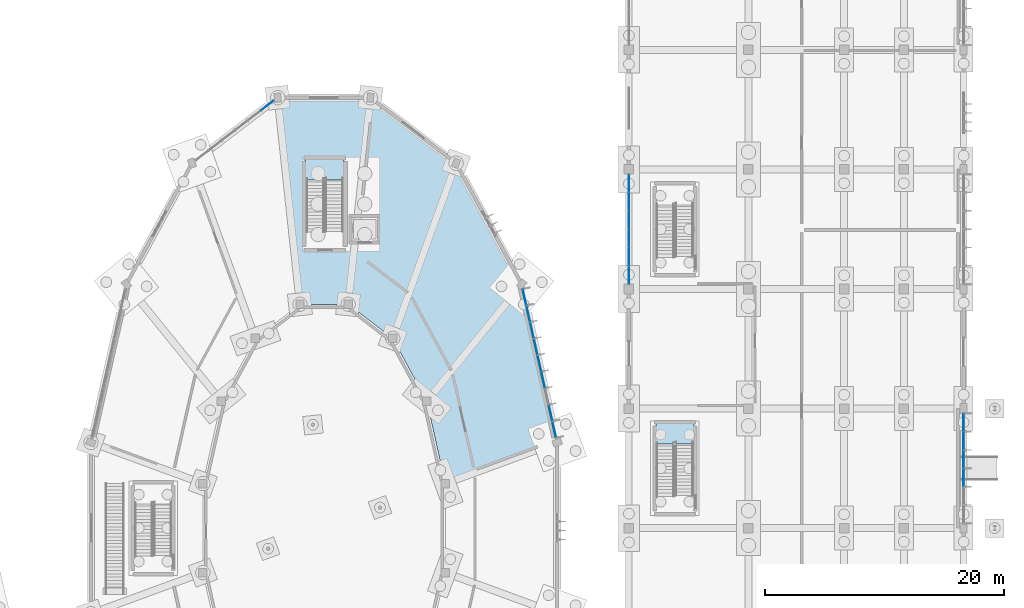
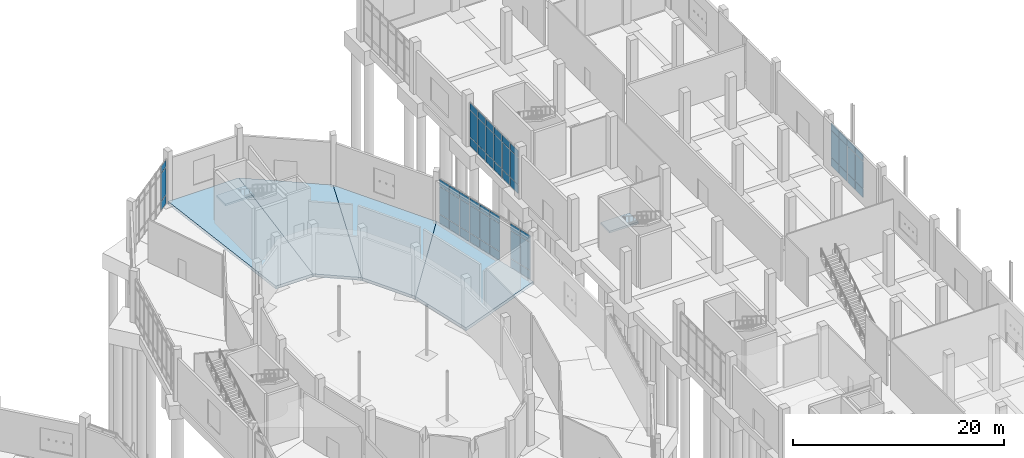
# One storey, part 70 of 140: 57 plates, 6 slabs, 6 elements without a shape of their own.
"""IFC4 building model written with IfcOpenShell, lengths in metres."""

from ifc_helpers import new_model, si_unit, direction, frame, origin, origin_2d, place, context, subcontext, project, spatial, polyline, rectangle, outline, extrude, material, layer, layer_set, type_object, element, aggregate, save


model = new_model("IFC4")

# Units and contexts
model_context = context("Model", 3, precision=1e-05, world=origin(), true_north=direction((0.0, 1.0)))
body_context = subcontext(model_context, "Body", "Model", "MODEL_VIEW")
ifc_project = project(units=[si_unit("LENGTHUNIT", "METRE"), si_unit("AREAUNIT", "SQUARE_METRE"), si_unit("VOLUMEUNIT", "CUBIC_METRE"), si_unit("PLANEANGLEUNIT", "RADIAN"), si_unit("MASSUNIT", "GRAM", prefix="KILO")], contexts=[model_context])

# Site, building, storey
site_placement = place(None, origin())
site = spatial("IfcSite", under=ifc_project, at=site_placement, CompositionType="ELEMENT")
building_placement = place(site_placement, origin())
building = spatial("IfcBuilding", under=site, at=building_placement, Name="Corvandel Quay Wholesale Market", CompositionType="ELEMENT")
storey_placement = place(building_placement, origin())
storey = spatial("IfcBuildingStorey", under=building, at=storey_placement, Name="L00", CompositionType="ELEMENT", Elevation=0.0)

# Curtain wall, plates
ifc_material_1 = material(Name="Bronze anodised aluminium and low-E insulated glazing", Category="aluminium")
ifc_layer_1 = layer(ifc_material_1, 0.174072265625)
ifc_layer_set_1 = layer_set([ifc_layer_1], Name="Bronze anodised aluminium and low-E insulated glazing")
curtain_wall_type_1 = type_object("IfcCurtainWallType", Name="Stick Curtain Wall System CW02 H3180", PredefinedType="NOTDEFINED", material=ifc_layer_set_1)
curtain_wall_1_placement = place(storey_placement, origin())
curtain_wall_1 = element("IfcCurtainWall", 1, at=curtain_wall_1_placement, inside=storey, type_object=curtain_wall_type_1, Name="Curtain Wall CW-0130", PredefinedType="NOTDEFINED")
ifc_material_2 = material(Name="Solar-control low-E insulated glazing", Category="glass")
ifc_layer_2 = layer(ifc_material_2, 0.0400390625)
ifc_layer_set_2 = layer_set([ifc_layer_2], Name="Solar-control low-E insulated glazing")
plate_type_1 = type_object("IfcPlateType", Name="Ceramic Fritted Spandrel Panel PN03 40mm", PredefinedType="CURTAIN_PANEL", material=ifc_layer_set_2)
plate_1_placement = place(storey_placement, frame((213.757080078125, 68.242919921875, 4.33251953125), z_axis=(0.0, 0.0, 1.0), x_axis=(-0.218994806262, 0.975726024471, 0.0)))
plate_1 = element("IfcPlate", 2, at=plate_1_placement, type_object=plate_type_1, Name="Glazing Panel CW-0130-P00-2", PredefinedType="CURTAIN_PANEL", context=body_context, shape_type="SweptSolid", body=[
    extrude(rectangle(XDim=1.352783203125, YDim=0.0400390625, at=origin_2d()), origin(), (0.0, 0.0, 1.0), 0.784912109375),
])
plate_2_placement = place(storey_placement, frame((213.44677734375, 69.62646484375, 4.33251953125), z_axis=(0.0, 0.0, 1.0), x_axis=(-0.218994806262, 0.975726024471, 0.0)))
plate_2 = element("IfcPlate", 3, at=plate_2_placement, type_object=plate_type_1, Name="Glazing Panel CW-0130-P01-2", PredefinedType="CURTAIN_PANEL", context=body_context, shape_type="SweptSolid", body=[
    extrude(rectangle(XDim=1.352783203125, YDim=0.0400390625, at=origin_2d()), origin(), (0.0, 0.0, 1.0), 0.784912109375),
])
plate_3_placement = place(storey_placement, frame((212.825927734375, 72.39306640625, 4.33251953125), z_axis=(0.0, 0.0, 1.0), x_axis=(-0.218994806262, 0.975726024471, 0.0)))
plate_3 = element("IfcPlate", 4, at=plate_3_placement, type_object=plate_type_1, Name="Glazing Panel CW-0130-P03-2", PredefinedType="CURTAIN_PANEL", context=body_context, shape_type="SweptSolid", body=[
    extrude(rectangle(XDim=1.352783203125, YDim=0.0400390625, at=origin_2d()), origin(), (0.0, 0.0, 1.0), 0.784912109375),
])
plate_4_placement = place(storey_placement, frame((212.515380859375, 73.776611328125, 4.33251953125), z_axis=(0.0, 0.0, 1.0), x_axis=(-0.218994806262, 0.975726024471, 0.0)))
plate_4 = element("IfcPlate", 5, at=plate_4_placement, type_object=plate_type_1, Name="Glazing Panel CW-0130-P04-2", PredefinedType="CURTAIN_PANEL", context=body_context, shape_type="SweptSolid", body=[
    extrude(rectangle(XDim=1.352783203125, YDim=0.0400390625, at=origin_2d()), origin(), (0.0, 0.0, 1.0), 0.784912109375),
])
plate_5_placement = place(storey_placement, frame((212.205078125, 75.159912109375, 4.33251953125), z_axis=(0.0, 0.0, 1.0), x_axis=(-0.218994806262, 0.975726024471, 0.0)))
plate_5 = element("IfcPlate", 6, at=plate_5_placement, type_object=plate_type_1, Name="Glazing Panel CW-0130-P05-2", PredefinedType="CURTAIN_PANEL", context=body_context, shape_type="SweptSolid", body=[
    extrude(rectangle(XDim=1.352783203125, YDim=0.0400390625, at=origin_2d()), origin(), (0.0, 0.0, 1.0), 0.784912109375),
])
plate_6_placement = place(storey_placement, frame((211.894775390625, 76.543212890625, 4.33251953125), z_axis=(0.0, 0.0, 1.0), x_axis=(-0.218994806262, 0.975726024471, 0.0)))
plate_6 = element("IfcPlate", 7, at=plate_6_placement, type_object=plate_type_1, Name="Glazing Panel CW-0130-P06-2", PredefinedType="CURTAIN_PANEL", context=body_context, shape_type="SweptSolid", body=[
    extrude(rectangle(XDim=1.352783203125, YDim=0.0400390625, at=origin_2d()), origin(), (0.0, 0.0, 1.0), 0.784912109375),
])
plate_7_placement = place(storey_placement, frame((211.584228515625, 77.926513671875, 4.33251953125), z_axis=(0.0, 0.0, 1.0), x_axis=(-0.218994806262, 0.975726024471, 0.0)))
plate_7 = element("IfcPlate", 8, at=plate_7_placement, type_object=plate_type_1, Name="Glazing Panel CW-0130-P07-2", PredefinedType="CURTAIN_PANEL", context=body_context, shape_type="SweptSolid", body=[
    extrude(rectangle(XDim=1.352783203125, YDim=0.0400390625, at=origin_2d()), origin(), (0.0, 0.0, 1.0), 0.784912109375),
])
plate_8_placement = place(storey_placement, frame((211.273681640625, 79.31005859375, 4.33251953125), z_axis=(0.0, 0.0, 1.0), x_axis=(-0.218994806262, 0.975726024471, 0.0)))
plate_8 = element("IfcPlate", 9, at=plate_8_placement, type_object=plate_type_1, Name="Glazing Panel CW-0130-P08-2", PredefinedType="CURTAIN_PANEL", context=body_context, shape_type="SweptSolid", body=[
    extrude(rectangle(XDim=1.352783203125, YDim=0.0400390625, at=origin_2d()), origin(), (0.0, 0.0, 1.0), 0.784912109375),
])

# Curtain wall, plate
ifc_layer_3 = layer(ifc_material_1, 0.162109375)
ifc_layer_set_3 = layer_set([ifc_layer_3], Name="Bronze anodised aluminium and low-E insulated glazing")
curtain_wall_type_2 = type_object("IfcCurtainWallType", Name="Stick Curtain Wall System CW06 H3540", PredefinedType="NOTDEFINED", material=ifc_layer_set_3)
curtain_wall_2_placement = place(storey_placement, origin())
curtain_wall_2 = element("IfcCurtainWall", 10, at=curtain_wall_2_placement, inside=storey, type_object=curtain_wall_type_2, Name="Curtain Wall CW-0133", PredefinedType="NOTDEFINED")
plate_9_placement = place(storey_placement, frame((189.7587890625, 95.3408203125, 4.33251953125), z_axis=(0.0, 0.0, 1.0), x_axis=(0.794308601354, 0.607514481979, 0.0)))
plate_9 = element("IfcPlate", 11, at=plate_9_placement, type_object=plate_type_1, Name="Glazing Panel CW-0133-P00-2", PredefinedType="CURTAIN_PANEL", context=body_context, shape_type="SweptSolid", body=[
    extrude(rectangle(XDim=1.305419921875, YDim=0.0400390625, at=origin_2d()), origin(), (0.0, 0.0, 1.0), 0.784912109375),
])

# Curtain wall, plates
ifc_layer_4 = layer(ifc_material_1, 0.18603515625)
ifc_layer_set_4 = layer_set([ifc_layer_4], Name="Bronze anodised aluminium and low-E insulated glazing")
curtain_wall_type_3 = type_object("IfcCurtainWallType", Name="Stick Curtain Wall System CW18 H4620", PredefinedType="NOTDEFINED", material=ifc_layer_set_4)
curtain_wall_3_placement = place(storey_placement, origin())
curtain_wall_3 = element("IfcCurtainWall", 12, at=curtain_wall_3_placement, inside=storey, type_object=curtain_wall_type_3, Name="Curtain Wall CW-0144", PredefinedType="NOTDEFINED")
plate_10_placement = place(storey_placement, frame((248.0, 64.2333984375, 4.22998046875), z_axis=(0.0, 0.0, 1.0), x_axis=(0.0, 1.0, 0.0)))
plate_10 = element("IfcPlate", 13, at=plate_10_placement, type_object=plate_type_1, Name="Glazing Panel CW-0144-P02-2", PredefinedType="CURTAIN_PANEL", context=body_context, shape_type="SweptSolid", body=[
    extrude(rectangle(XDim=1.46826171875, YDim=0.0400390625, at=origin_2d()), origin(), (0.0, 0.0, 1.0), 0.7900390625),
])
plate_11_placement = place(storey_placement, frame((248.0, 65.7666015625, 4.22998046875), z_axis=(0.0, 0.0, 1.0), x_axis=(0.0, 1.0, 0.0)))
plate_11 = element("IfcPlate", 14, at=plate_11_placement, type_object=plate_type_1, Name="Glazing Panel CW-0144-P03-2", PredefinedType="CURTAIN_PANEL", context=body_context, shape_type="SweptSolid", body=[
    extrude(rectangle(XDim=1.46826171875, YDim=0.0400390625, at=origin_2d()), origin(), (0.0, 0.0, 1.0), 0.7900390625),
])
plate_12_placement = place(storey_placement, frame((248.0, 67.300048828125, 4.22998046875), z_axis=(0.0, 0.0, 1.0), x_axis=(0.0, 1.0, 0.0)))
plate_12 = element("IfcPlate", 15, at=plate_12_placement, type_object=plate_type_1, Name="Glazing Panel CW-0144-P04-2", PredefinedType="CURTAIN_PANEL", context=body_context, shape_type="SweptSolid", body=[
    extrude(rectangle(XDim=1.46826171875, YDim=0.0400390625, at=origin_2d()), origin(), (0.0, 0.0, 1.0), 0.7900390625),
])
plate_13_placement = place(storey_placement, frame((248.0, 68.833251953125, 4.22998046875), z_axis=(0.0, 0.0, 1.0), x_axis=(0.0, 1.0, 0.0)))
plate_13 = element("IfcPlate", 16, at=plate_13_placement, type_object=plate_type_1, Name="Glazing Panel CW-0144-P05-2", PredefinedType="CURTAIN_PANEL", context=body_context, shape_type="SweptSolid", body=[
    extrude(rectangle(XDim=1.46826171875, YDim=0.0400390625, at=origin_2d()), origin(), (0.0, 0.0, 1.0), 0.7900390625),
])

ifc_layer_5 = layer(ifc_material_1, 0.162109375)
ifc_layer_set_5 = layer_set([ifc_layer_5], Name="Bronze anodised aluminium and low-E insulated glazing")
curtain_wall_type_4 = type_object("IfcCurtainWallType", Name="Stick Curtain Wall System CW26 H5340", PredefinedType="NOTDEFINED", material=ifc_layer_set_5)
curtain_wall_4_placement = place(storey_placement, origin())
curtain_wall_4 = element("IfcCurtainWall", 17, at=curtain_wall_4_placement, inside=storey, type_object=curtain_wall_type_4, Name="Curtain Wall CW-0146", PredefinedType="NOTDEFINED")
plate_14_placement = place(storey_placement, frame((220.0, 81.166748046875, 4.22998046875), z_axis=(0.0, 0.0, 1.0), x_axis=(0.0, 1.0, 0.0)))
plate_14 = element("IfcPlate", 18, at=plate_14_placement, type_object=plate_type_1, Name="Glazing Panel CW-0146-P00-2", PredefinedType="CURTAIN_PANEL", context=body_context, shape_type="SweptSolid", body=[
    extrude(rectangle(XDim=1.46826171875, YDim=0.0400390625, at=origin_2d()), origin(), (0.0, 0.0, 1.0), 0.7900390625),
])
plate_15_placement = place(storey_placement, frame((220.0, 82.699951171875, 4.22998046875), z_axis=(0.0, 0.0, 1.0), x_axis=(0.0, 1.0, 0.0)))
plate_15 = element("IfcPlate", 19, at=plate_15_placement, type_object=plate_type_1, Name="Glazing Panel CW-0146-P01-2", PredefinedType="CURTAIN_PANEL", context=body_context, shape_type="SweptSolid", body=[
    extrude(rectangle(XDim=1.46826171875, YDim=0.0400390625, at=origin_2d()), origin(), (0.0, 0.0, 1.0), 0.7900390625),
])
plate_16_placement = place(storey_placement, frame((220.0, 84.2333984375, 4.22998046875), z_axis=(0.0, 0.0, 1.0), x_axis=(0.0, 1.0, 0.0)))
plate_16 = element("IfcPlate", 20, at=plate_16_placement, type_object=plate_type_1, Name="Glazing Panel CW-0146-P02-2", PredefinedType="CURTAIN_PANEL", context=body_context, shape_type="SweptSolid", body=[
    extrude(rectangle(XDim=1.46826171875, YDim=0.0400390625, at=origin_2d()), origin(), (0.0, 0.0, 1.0), 0.7900390625),
])
plate_17_placement = place(storey_placement, frame((220.0, 85.7666015625, 4.22998046875), z_axis=(0.0, 0.0, 1.0), x_axis=(0.0, 1.0, 0.0)))
plate_17 = element("IfcPlate", 21, at=plate_17_placement, type_object=plate_type_1, Name="Glazing Panel CW-0146-P03-2", PredefinedType="CURTAIN_PANEL", context=body_context, shape_type="SweptSolid", body=[
    extrude(rectangle(XDim=1.46826171875, YDim=0.0400390625, at=origin_2d()), origin(), (0.0, 0.0, 1.0), 0.7900390625),
])
plate_18_placement = place(storey_placement, frame((220.0, 87.300048828125, 4.22998046875), z_axis=(0.0, 0.0, 1.0), x_axis=(0.0, 1.0, 0.0)))
plate_18 = element("IfcPlate", 22, at=plate_18_placement, type_object=plate_type_1, Name="Glazing Panel CW-0146-P04-2", PredefinedType="CURTAIN_PANEL", context=body_context, shape_type="SweptSolid", body=[
    extrude(rectangle(XDim=1.46826171875, YDim=0.0400390625, at=origin_2d()), origin(), (0.0, 0.0, 1.0), 0.7900390625),
])
plate_19_placement = place(storey_placement, frame((220.0, 88.833251953125, 4.22998046875), z_axis=(0.0, 0.0, 1.0), x_axis=(0.0, 1.0, 0.0)))
plate_19 = element("IfcPlate", 23, at=plate_19_placement, type_object=plate_type_1, Name="Glazing Panel CW-0146-P05-2", PredefinedType="CURTAIN_PANEL", context=body_context, shape_type="SweptSolid", body=[
    extrude(rectangle(XDim=1.46826171875, YDim=0.0400390625, at=origin_2d()), origin(), (0.0, 0.0, 1.0), 0.7900390625),
])

# Plate
ifc_layer_6 = layer(ifc_material_2, 0.028076171875)
ifc_layer_set_6 = layer_set([ifc_layer_6], Name="Solar-control low-E insulated glazing")
plate_type_2 = type_object("IfcPlateType", Name="Double Low-E Vision Panel PN01 28mm", PredefinedType="CURTAIN_PANEL", material=ifc_layer_set_6)
plate_20_placement = place(storey_placement, frame((213.757080078125, 68.242919921875, 0.0322265625), z_axis=(0.0, 0.0, 1.0), x_axis=(-0.218994806262, 0.975726024471, 0.0)))
plate_20 = element("IfcPlate", 24, at=plate_20_placement, type_object=plate_type_2, Name="Glazing Panel CW-0130-P00-0", PredefinedType="CURTAIN_PANEL", context=body_context, shape_type="SweptSolid", body=[
    extrude(rectangle(XDim=1.352783203125, YDim=0.028076171875, at=origin_2d()), origin(), (0.0, 0.0, 1.0), 0.985107421875),
])

plate_21_placement = place(storey_placement, frame((213.757080078125, 68.242919921875, 1.08251953125), z_axis=(0.0, 0.0, 1.0), x_axis=(-0.218994806262, 0.975726024471, 0.0)))
plate_21 = element("IfcPlate", 25, at=plate_21_placement, type_object=plate_type_2, Name="Glazing Panel CW-0130-P00-1", PredefinedType="CURTAIN_PANEL", context=body_context, shape_type="SweptSolid", body=[
    extrude(rectangle(XDim=1.352783203125, YDim=0.028076171875, at=origin_2d()), origin(), (0.0, 0.0, 1.0), 3.18505859375),
])

plate_22_placement = place(storey_placement, frame((213.44677734375, 69.62646484375, 0.0322265625), z_axis=(0.0, 0.0, 1.0), x_axis=(-0.218994806262, 0.975726024471, 0.0)))
plate_22 = element("IfcPlate", 26, at=plate_22_placement, type_object=plate_type_2, Name="Glazing Panel CW-0130-P01-0", PredefinedType="CURTAIN_PANEL", context=body_context, shape_type="SweptSolid", body=[
    extrude(rectangle(XDim=1.352783203125, YDim=0.028076171875, at=origin_2d()), origin(), (0.0, 0.0, 1.0), 0.985107421875),
])

plate_23_placement = place(storey_placement, frame((213.44677734375, 69.62646484375, 1.08251953125), z_axis=(0.0, 0.0, 1.0), x_axis=(-0.218994806262, 0.975726024471, 0.0)))
plate_23 = element("IfcPlate", 27, at=plate_23_placement, type_object=plate_type_2, Name="Glazing Panel CW-0130-P01-1", PredefinedType="CURTAIN_PANEL", context=body_context, shape_type="SweptSolid", body=[
    extrude(rectangle(XDim=1.352783203125, YDim=0.028076171875, at=origin_2d()), origin(), (0.0, 0.0, 1.0), 3.18505859375),
])

plate_24_placement = place(storey_placement, frame((212.825927734375, 72.39306640625, 0.0322265625), z_axis=(0.0, 0.0, 1.0), x_axis=(-0.218994806262, 0.975726024471, 0.0)))
plate_24 = element("IfcPlate", 28, at=plate_24_placement, type_object=plate_type_2, Name="Glazing Panel CW-0130-P03-0", PredefinedType="CURTAIN_PANEL", context=body_context, shape_type="SweptSolid", body=[
    extrude(rectangle(XDim=1.352783203125, YDim=0.028076171875, at=origin_2d()), origin(), (0.0, 0.0, 1.0), 0.985107421875),
])

plate_25_placement = place(storey_placement, frame((212.825927734375, 72.39306640625, 1.08251953125), z_axis=(0.0, 0.0, 1.0), x_axis=(-0.218994806262, 0.975726024471, 0.0)))
plate_25 = element("IfcPlate", 29, at=plate_25_placement, type_object=plate_type_2, Name="Glazing Panel CW-0130-P03-1", PredefinedType="CURTAIN_PANEL", context=body_context, shape_type="SweptSolid", body=[
    extrude(rectangle(XDim=1.352783203125, YDim=0.028076171875, at=origin_2d()), origin(), (0.0, 0.0, 1.0), 3.18505859375),
])

plate_26_placement = place(storey_placement, frame((212.515380859375, 73.776611328125, 0.0322265625), z_axis=(0.0, 0.0, 1.0), x_axis=(-0.218994806262, 0.975726024471, 0.0)))
plate_26 = element("IfcPlate", 30, at=plate_26_placement, type_object=plate_type_2, Name="Glazing Panel CW-0130-P04-0", PredefinedType="CURTAIN_PANEL", context=body_context, shape_type="SweptSolid", body=[
    extrude(rectangle(XDim=1.352783203125, YDim=0.028076171875, at=origin_2d()), origin(), (0.0, 0.0, 1.0), 0.985107421875),
])

plate_27_placement = place(storey_placement, frame((212.515380859375, 73.776611328125, 1.08251953125), z_axis=(0.0, 0.0, 1.0), x_axis=(-0.218994806262, 0.975726024471, 0.0)))
plate_27 = element("IfcPlate", 31, at=plate_27_placement, type_object=plate_type_2, Name="Glazing Panel CW-0130-P04-1", PredefinedType="CURTAIN_PANEL", context=body_context, shape_type="SweptSolid", body=[
    extrude(rectangle(XDim=1.352783203125, YDim=0.028076171875, at=origin_2d()), origin(), (0.0, 0.0, 1.0), 3.18505859375),
])

plate_28_placement = place(storey_placement, frame((212.205078125, 75.159912109375, 0.0322265625), z_axis=(0.0, 0.0, 1.0), x_axis=(-0.218994806262, 0.975726024471, 0.0)))
plate_28 = element("IfcPlate", 32, at=plate_28_placement, type_object=plate_type_2, Name="Glazing Panel CW-0130-P05-0", PredefinedType="CURTAIN_PANEL", context=body_context, shape_type="SweptSolid", body=[
    extrude(rectangle(XDim=1.352783203125, YDim=0.028076171875, at=origin_2d()), origin(), (0.0, 0.0, 1.0), 0.985107421875),
])

plate_29_placement = place(storey_placement, frame((212.205078125, 75.159912109375, 1.08251953125), z_axis=(0.0, 0.0, 1.0), x_axis=(-0.218994806262, 0.975726024471, 0.0)))
plate_29 = element("IfcPlate", 33, at=plate_29_placement, type_object=plate_type_2, Name="Glazing Panel CW-0130-P05-1", PredefinedType="CURTAIN_PANEL", context=body_context, shape_type="SweptSolid", body=[
    extrude(rectangle(XDim=1.352783203125, YDim=0.028076171875, at=origin_2d()), origin(), (0.0, 0.0, 1.0), 3.18505859375),
])

plate_30_placement = place(storey_placement, frame((211.894775390625, 76.543212890625, 0.0322265625), z_axis=(0.0, 0.0, 1.0), x_axis=(-0.218994806262, 0.975726024471, 0.0)))
plate_30 = element("IfcPlate", 34, at=plate_30_placement, type_object=plate_type_2, Name="Glazing Panel CW-0130-P06-0", PredefinedType="CURTAIN_PANEL", context=body_context, shape_type="SweptSolid", body=[
    extrude(rectangle(XDim=1.352783203125, YDim=0.028076171875, at=origin_2d()), origin(), (0.0, 0.0, 1.0), 0.985107421875),
])

plate_31_placement = place(storey_placement, frame((211.894775390625, 76.543212890625, 1.08251953125), z_axis=(0.0, 0.0, 1.0), x_axis=(-0.218994806262, 0.975726024471, 0.0)))
plate_31 = element("IfcPlate", 35, at=plate_31_placement, type_object=plate_type_2, Name="Glazing Panel CW-0130-P06-1", PredefinedType="CURTAIN_PANEL", context=body_context, shape_type="SweptSolid", body=[
    extrude(rectangle(XDim=1.352783203125, YDim=0.028076171875, at=origin_2d()), origin(), (0.0, 0.0, 1.0), 3.18505859375),
])

plate_32_placement = place(storey_placement, frame((211.584228515625, 77.926513671875, 0.0322265625), z_axis=(0.0, 0.0, 1.0), x_axis=(-0.218994806262, 0.975726024471, 0.0)))
plate_32 = element("IfcPlate", 36, at=plate_32_placement, type_object=plate_type_2, Name="Glazing Panel CW-0130-P07-0", PredefinedType="CURTAIN_PANEL", context=body_context, shape_type="SweptSolid", body=[
    extrude(rectangle(XDim=1.352783203125, YDim=0.028076171875, at=origin_2d()), origin(), (0.0, 0.0, 1.0), 0.985107421875),
])

plate_33_placement = place(storey_placement, frame((211.584228515625, 77.926513671875, 1.08251953125), z_axis=(0.0, 0.0, 1.0), x_axis=(-0.218994806262, 0.975726024471, 0.0)))
plate_33 = element("IfcPlate", 37, at=plate_33_placement, type_object=plate_type_2, Name="Glazing Panel CW-0130-P07-1", PredefinedType="CURTAIN_PANEL", context=body_context, shape_type="SweptSolid", body=[
    extrude(rectangle(XDim=1.352783203125, YDim=0.028076171875, at=origin_2d()), origin(), (0.0, 0.0, 1.0), 3.18505859375),
])

plate_34_placement = place(storey_placement, frame((211.273681640625, 79.31005859375, 0.0322265625), z_axis=(0.0, 0.0, 1.0), x_axis=(-0.218994806262, 0.975726024471, 0.0)))
plate_34 = element("IfcPlate", 38, at=plate_34_placement, type_object=plate_type_2, Name="Glazing Panel CW-0130-P08-0", PredefinedType="CURTAIN_PANEL", context=body_context, shape_type="SweptSolid", body=[
    extrude(rectangle(XDim=1.352783203125, YDim=0.028076171875, at=origin_2d()), origin(), (0.0, 0.0, 1.0), 0.985107421875),
])

plate_35_placement = place(storey_placement, frame((211.273681640625, 79.31005859375, 1.08251953125), z_axis=(0.0, 0.0, 1.0), x_axis=(-0.218994806262, 0.975726024471, 0.0)))
plate_35 = element("IfcPlate", 39, at=plate_35_placement, type_object=plate_type_2, Name="Glazing Panel CW-0130-P08-1", PredefinedType="CURTAIN_PANEL", context=body_context, shape_type="SweptSolid", body=[
    extrude(rectangle(XDim=1.352783203125, YDim=0.028076171875, at=origin_2d()), origin(), (0.0, 0.0, 1.0), 3.18505859375),
])

aggregate(curtain_wall_1, [plate_20, plate_21, plate_1, plate_22, plate_23, plate_2, plate_24, plate_25, plate_3, plate_26, plate_27, plate_4, plate_28, plate_29, plate_5, plate_30, plate_31, plate_6, plate_32, plate_33, plate_7, plate_34, plate_35, plate_8])

plate_36_placement = place(storey_placement, frame((189.7587890625, 95.3408203125, 0.0322265625), z_axis=(0.0, 0.0, 1.0), x_axis=(0.794308601354, 0.607514481979, 0.0)))
plate_36 = element("IfcPlate", 40, at=plate_36_placement, type_object=plate_type_2, Name="Glazing Panel CW-0133-P00-0", PredefinedType="CURTAIN_PANEL", context=body_context, shape_type="SweptSolid", body=[
    extrude(rectangle(XDim=1.305419921875, YDim=0.028076171875, at=origin_2d()), origin(), (0.0, 0.0, 1.0), 0.985107421875),
])

plate_37_placement = place(storey_placement, frame((189.7587890625, 95.3408203125, 1.08251953125), z_axis=(0.0, 0.0, 1.0), x_axis=(0.794308601354, 0.607514481979, 0.0)))
plate_37 = element("IfcPlate", 41, at=plate_37_placement, type_object=plate_type_2, Name="Glazing Panel CW-0133-P00-1", PredefinedType="CURTAIN_PANEL", context=body_context, shape_type="SweptSolid", body=[
    extrude(rectangle(XDim=1.305419921875, YDim=0.028076171875, at=origin_2d()), origin(), (0.0, 0.0, 1.0), 3.18505859375),
])

aggregate(curtain_wall_2, [plate_36, plate_37, plate_9])

plate_38_placement = place(storey_placement, frame((248.0, 64.2333984375, 0.02978515625), z_axis=(0.0, 0.0, 1.0), x_axis=(0.0, 1.0, 0.0)))
plate_38 = element("IfcPlate", 42, at=plate_38_placement, type_object=plate_type_2, Name="Glazing Panel CW-0144-P02-0", PredefinedType="CURTAIN_PANEL", context=body_context, shape_type="SweptSolid", body=[
    extrude(rectangle(XDim=1.46826171875, YDim=0.028076171875, at=origin_2d()), origin(), (0.0, 0.0, 1.0), 0.989990234375),
])

plate_39_placement = place(storey_placement, frame((248.0, 64.2333984375, 1.080078125), z_axis=(0.0, 0.0, 1.0), x_axis=(0.0, 1.0, 0.0)))
plate_39 = element("IfcPlate", 43, at=plate_39_placement, type_object=plate_type_2, Name="Glazing Panel CW-0144-P02-1", PredefinedType="CURTAIN_PANEL", context=body_context, shape_type="SweptSolid", body=[
    extrude(rectangle(XDim=1.46826171875, YDim=0.028076171875, at=origin_2d()), origin(), (0.0, 0.0, 1.0), 3.090087890625),
])

plate_40_placement = place(storey_placement, frame((248.0, 65.7666015625, 0.02978515625), z_axis=(0.0, 0.0, 1.0), x_axis=(0.0, 1.0, 0.0)))
plate_40 = element("IfcPlate", 44, at=plate_40_placement, type_object=plate_type_2, Name="Glazing Panel CW-0144-P03-0", PredefinedType="CURTAIN_PANEL", context=body_context, shape_type="SweptSolid", body=[
    extrude(rectangle(XDim=1.46826171875, YDim=0.028076171875, at=origin_2d()), origin(), (0.0, 0.0, 1.0), 0.989990234375),
])

plate_41_placement = place(storey_placement, frame((248.0, 65.7666015625, 1.080078125), z_axis=(0.0, 0.0, 1.0), x_axis=(0.0, 1.0, 0.0)))
plate_41 = element("IfcPlate", 45, at=plate_41_placement, type_object=plate_type_2, Name="Glazing Panel CW-0144-P03-1", PredefinedType="CURTAIN_PANEL", context=body_context, shape_type="SweptSolid", body=[
    extrude(rectangle(XDim=1.46826171875, YDim=0.028076171875, at=origin_2d()), origin(), (0.0, 0.0, 1.0), 3.090087890625),
])

plate_42_placement = place(storey_placement, frame((248.0, 67.300048828125, 0.02978515625), z_axis=(0.0, 0.0, 1.0), x_axis=(0.0, 1.0, 0.0)))
plate_42 = element("IfcPlate", 46, at=plate_42_placement, type_object=plate_type_2, Name="Glazing Panel CW-0144-P04-0", PredefinedType="CURTAIN_PANEL", context=body_context, shape_type="SweptSolid", body=[
    extrude(rectangle(XDim=1.46826171875, YDim=0.028076171875, at=origin_2d()), origin(), (0.0, 0.0, 1.0), 0.989990234375),
])

plate_43_placement = place(storey_placement, frame((248.0, 67.300048828125, 1.080078125), z_axis=(0.0, 0.0, 1.0), x_axis=(0.0, 1.0, 0.0)))
plate_43 = element("IfcPlate", 47, at=plate_43_placement, type_object=plate_type_2, Name="Glazing Panel CW-0144-P04-1", PredefinedType="CURTAIN_PANEL", context=body_context, shape_type="SweptSolid", body=[
    extrude(rectangle(XDim=1.46826171875, YDim=0.028076171875, at=origin_2d()), origin(), (0.0, 0.0, 1.0), 3.090087890625),
])

plate_44_placement = place(storey_placement, frame((248.0, 68.833251953125, 0.02978515625), z_axis=(0.0, 0.0, 1.0), x_axis=(0.0, 1.0, 0.0)))
plate_44 = element("IfcPlate", 48, at=plate_44_placement, type_object=plate_type_2, Name="Glazing Panel CW-0144-P05-0", PredefinedType="CURTAIN_PANEL", context=body_context, shape_type="SweptSolid", body=[
    extrude(rectangle(XDim=1.46826171875, YDim=0.028076171875, at=origin_2d()), origin(), (0.0, 0.0, 1.0), 0.989990234375),
])

plate_45_placement = place(storey_placement, frame((248.0, 68.833251953125, 1.080078125), z_axis=(0.0, 0.0, 1.0), x_axis=(0.0, 1.0, 0.0)))
plate_45 = element("IfcPlate", 49, at=plate_45_placement, type_object=plate_type_2, Name="Glazing Panel CW-0144-P05-1", PredefinedType="CURTAIN_PANEL", context=body_context, shape_type="SweptSolid", body=[
    extrude(rectangle(XDim=1.46826171875, YDim=0.028076171875, at=origin_2d()), origin(), (0.0, 0.0, 1.0), 3.090087890625),
])

aggregate(curtain_wall_3, [plate_38, plate_39, plate_10, plate_40, plate_41, plate_11, plate_42, plate_43, plate_12, plate_44, plate_45, plate_13])

plate_46_placement = place(storey_placement, frame((220.0, 81.166748046875, 0.02978515625), z_axis=(0.0, 0.0, 1.0), x_axis=(0.0, 1.0, 0.0)))
plate_46 = element("IfcPlate", 50, at=plate_46_placement, type_object=plate_type_2, Name="Glazing Panel CW-0146-P00-0", PredefinedType="CURTAIN_PANEL", context=body_context, shape_type="SweptSolid", body=[
    extrude(rectangle(XDim=1.46826171875, YDim=0.028076171875, at=origin_2d()), origin(), (0.0, 0.0, 1.0), 0.989990234375),
])

plate_47_placement = place(storey_placement, frame((220.0, 81.166748046875, 1.080078125), z_axis=(0.0, 0.0, 1.0), x_axis=(0.0, 1.0, 0.0)))
plate_47 = element("IfcPlate", 51, at=plate_47_placement, type_object=plate_type_2, Name="Glazing Panel CW-0146-P00-1", PredefinedType="CURTAIN_PANEL", context=body_context, shape_type="SweptSolid", body=[
    extrude(rectangle(XDim=1.46826171875, YDim=0.028076171875, at=origin_2d()), origin(), (0.0, 0.0, 1.0), 3.090087890625),
])

plate_48_placement = place(storey_placement, frame((220.0, 82.699951171875, 0.02978515625), z_axis=(0.0, 0.0, 1.0), x_axis=(0.0, 1.0, 0.0)))
plate_48 = element("IfcPlate", 52, at=plate_48_placement, type_object=plate_type_2, Name="Glazing Panel CW-0146-P01-0", PredefinedType="CURTAIN_PANEL", context=body_context, shape_type="SweptSolid", body=[
    extrude(rectangle(XDim=1.46826171875, YDim=0.028076171875, at=origin_2d()), origin(), (0.0, 0.0, 1.0), 0.989990234375),
])

plate_49_placement = place(storey_placement, frame((220.0, 82.699951171875, 1.080078125), z_axis=(0.0, 0.0, 1.0), x_axis=(0.0, 1.0, 0.0)))
plate_49 = element("IfcPlate", 53, at=plate_49_placement, type_object=plate_type_2, Name="Glazing Panel CW-0146-P01-1", PredefinedType="CURTAIN_PANEL", context=body_context, shape_type="SweptSolid", body=[
    extrude(rectangle(XDim=1.46826171875, YDim=0.028076171875, at=origin_2d()), origin(), (0.0, 0.0, 1.0), 3.090087890625),
])

plate_50_placement = place(storey_placement, frame((220.0, 84.2333984375, 0.02978515625), z_axis=(0.0, 0.0, 1.0), x_axis=(0.0, 1.0, 0.0)))
plate_50 = element("IfcPlate", 54, at=plate_50_placement, type_object=plate_type_2, Name="Glazing Panel CW-0146-P02-0", PredefinedType="CURTAIN_PANEL", context=body_context, shape_type="SweptSolid", body=[
    extrude(rectangle(XDim=1.46826171875, YDim=0.028076171875, at=origin_2d()), origin(), (0.0, 0.0, 1.0), 0.989990234375),
])

plate_51_placement = place(storey_placement, frame((220.0, 84.2333984375, 1.080078125), z_axis=(0.0, 0.0, 1.0), x_axis=(0.0, 1.0, 0.0)))
plate_51 = element("IfcPlate", 55, at=plate_51_placement, type_object=plate_type_2, Name="Glazing Panel CW-0146-P02-1", PredefinedType="CURTAIN_PANEL", context=body_context, shape_type="SweptSolid", body=[
    extrude(rectangle(XDim=1.46826171875, YDim=0.028076171875, at=origin_2d()), origin(), (0.0, 0.0, 1.0), 3.090087890625),
])

plate_52_placement = place(storey_placement, frame((220.0, 85.7666015625, 0.02978515625), z_axis=(0.0, 0.0, 1.0), x_axis=(0.0, 1.0, 0.0)))
plate_52 = element("IfcPlate", 56, at=plate_52_placement, type_object=plate_type_2, Name="Glazing Panel CW-0146-P03-0", PredefinedType="CURTAIN_PANEL", context=body_context, shape_type="SweptSolid", body=[
    extrude(rectangle(XDim=1.46826171875, YDim=0.028076171875, at=origin_2d()), origin(), (0.0, 0.0, 1.0), 0.989990234375),
])

plate_53_placement = place(storey_placement, frame((220.0, 85.7666015625, 1.080078125), z_axis=(0.0, 0.0, 1.0), x_axis=(0.0, 1.0, 0.0)))
plate_53 = element("IfcPlate", 57, at=plate_53_placement, type_object=plate_type_2, Name="Glazing Panel CW-0146-P03-1", PredefinedType="CURTAIN_PANEL", context=body_context, shape_type="SweptSolid", body=[
    extrude(rectangle(XDim=1.46826171875, YDim=0.028076171875, at=origin_2d()), origin(), (0.0, 0.0, 1.0), 3.090087890625),
])

plate_54_placement = place(storey_placement, frame((220.0, 87.300048828125, 0.02978515625), z_axis=(0.0, 0.0, 1.0), x_axis=(0.0, 1.0, 0.0)))
plate_54 = element("IfcPlate", 58, at=plate_54_placement, type_object=plate_type_2, Name="Glazing Panel CW-0146-P04-0", PredefinedType="CURTAIN_PANEL", context=body_context, shape_type="SweptSolid", body=[
    extrude(rectangle(XDim=1.46826171875, YDim=0.028076171875, at=origin_2d()), origin(), (0.0, 0.0, 1.0), 0.989990234375),
])

plate_55_placement = place(storey_placement, frame((220.0, 87.300048828125, 1.080078125), z_axis=(0.0, 0.0, 1.0), x_axis=(0.0, 1.0, 0.0)))
plate_55 = element("IfcPlate", 59, at=plate_55_placement, type_object=plate_type_2, Name="Glazing Panel CW-0146-P04-1", PredefinedType="CURTAIN_PANEL", context=body_context, shape_type="SweptSolid", body=[
    extrude(rectangle(XDim=1.46826171875, YDim=0.028076171875, at=origin_2d()), origin(), (0.0, 0.0, 1.0), 3.090087890625),
])

plate_56_placement = place(storey_placement, frame((220.0, 88.833251953125, 0.02978515625), z_axis=(0.0, 0.0, 1.0), x_axis=(0.0, 1.0, 0.0)))
plate_56 = element("IfcPlate", 60, at=plate_56_placement, type_object=plate_type_2, Name="Glazing Panel CW-0146-P05-0", PredefinedType="CURTAIN_PANEL", context=body_context, shape_type="SweptSolid", body=[
    extrude(rectangle(XDim=1.46826171875, YDim=0.028076171875, at=origin_2d()), origin(), (0.0, 0.0, 1.0), 0.989990234375),
])

plate_57_placement = place(storey_placement, frame((220.0, 88.833251953125, 1.080078125), z_axis=(0.0, 0.0, 1.0), x_axis=(0.0, 1.0, 0.0)))
plate_57 = element("IfcPlate", 61, at=plate_57_placement, type_object=plate_type_2, Name="Glazing Panel CW-0146-P05-1", PredefinedType="CURTAIN_PANEL", context=body_context, shape_type="SweptSolid", body=[
    extrude(rectangle(XDim=1.46826171875, YDim=0.028076171875, at=origin_2d()), origin(), (0.0, 0.0, 1.0), 3.090087890625),
])

aggregate(curtain_wall_4, [plate_46, plate_47, plate_14, plate_48, plate_49, plate_15, plate_50, plate_51, plate_16, plate_52, plate_53, plate_17, plate_54, plate_55, plate_18, plate_56, plate_57, plate_19])

# Slabs
ifc_material_3 = material(Name="Concrete C40/50", Category="concrete")
ifc_layer_7 = layer(ifc_material_3, 0.35009765625)
ifc_layer_set_7 = layer_set([ifc_layer_7], Name="Concrete C40/50")
slab_type_1 = type_object("IfcSlabType", Name="Ground Bearing Base Slab 350", PredefinedType="BASESLAB", material=ifc_layer_set_7)
slab_1_placement = place(storey_placement, frame((0.0, 0.0, -0.35009765625)))
element("IfcSlab", 62, at=slab_1_placement, inside=storey, type_object=slab_type_1, Name="Slab SLB-0383", PredefinedType="BASESLAB", context=body_context, shape_type="SweptSolid", body=[
    extrude(outline(polyline([(214.0, 67.160888671875), (211.031005859375, 80.39208984375), (203.095947265625, 70.60400390625), (204.639892578125, 63.72412109375), (214.0, 67.160888671875)])), origin(), (0.0, 0.0, 1.0), 0.35009765625),
])
slab_2_placement = place(storey_placement, frame((0.0, 0.0, -0.35009765625)))
element("IfcSlab", 63, at=slab_2_placement, inside=storey, type_object=slab_type_1, Name="Slab SLB-0387", PredefinedType="BASESLAB", context=body_context, shape_type="SweptSolid", body=[
    extrude(outline(polyline([(211.031005859375, 80.39208984375), (205.5458984375, 90.51904296875), (200.243896484375, 75.8701171875), (203.095947265625, 70.60400390625), (211.031005859375, 80.39208984375)])), origin(), (0.0, 0.0, 1.0), 0.35009765625),
])
slab_3_placement = place(storey_placement, frame((0.0, 0.0, -0.35009765625)))
element("IfcSlab", 64, at=slab_3_placement, inside=storey, type_object=slab_type_1, Name="Slab SLB-0391", PredefinedType="BASESLAB", context=body_context, shape_type="SweptSolid", body=[
    extrude(outline(polyline([(205.5458984375, 90.51904296875), (198.37890625, 96.0), (196.51708984375, 78.719970703125), (200.243896484375, 75.8701171875), (205.5458984375, 90.51904296875)])), origin(), (0.0, 0.0, 1.0), 0.35009765625),
])
slab_4_placement = place(storey_placement, frame((0.0, 0.0, -0.35009765625)))
element("IfcSlab", 65, at=slab_4_placement, inside=storey, type_object=slab_type_1, Name="Slab SLB-0395", PredefinedType="BASESLAB", context=body_context, shape_type="SweptSolid", body=[
    extrude(outline(polyline([(198.37890625, 96.0), (190.62109375, 96.0), (192.48291015625, 78.719970703125), (196.51708984375, 78.719970703125), (198.37890625, 96.0)])), origin(), (0.0, 0.0, 1.0), 0.35009765625),
])

# Stair, slab
stair_type = type_object("IfcStairType", Name="Exit Stair Two-Return L00-L01 ST01", PredefinedType="USERDEFINED", material=ifc_material_3)
stair_1_placement = place(storey_placement, origin())
stair_1 = element("IfcStair", 66, at=stair_1_placement, inside=storey, type_object=stair_type, Name="Exit Stair STR-013", ObjectType="TWO_RETURN_STAIR", PredefinedType="USERDEFINED")
ifc_layer_8 = layer(ifc_material_3, 0.219970703125)
ifc_layer_set_8 = layer_set([ifc_layer_8], Name="Concrete C40/50")
slab_type_2 = type_object("IfcSlabType", Name="Precast Stair Landing LND01 220", PredefinedType="LANDING", material=ifc_layer_set_8)
slab_5_placement = place(storey_placement, frame((0.0, 0.0, 2.780029296875)))
slab_5 = element("IfcSlab", 67, at=slab_5_placement, type_object=slab_type_2, Name="Stair Landing STR-013-LND", PredefinedType="LANDING", context=body_context, shape_type="SweptSolid", body=[
    extrude(outline(polyline([(192.9599609375, 89.1298828125), (196.139892578125, 89.1298828125), (196.139892578125, 90.840087890625), (192.9599609375, 90.840087890625), (192.9599609375, 89.1298828125)])), origin(), (0.0, 0.0, 1.0), 0.219970703125),
])
aggregate(stair_1, [slab_5])

stair_2_placement = place(storey_placement, origin())
stair_2 = element("IfcStair", 68, at=stair_2_placement, inside=storey, type_object=stair_type, Name="Exit Stair STR-032", ObjectType="TWO_RETURN_STAIR", PredefinedType="USERDEFINED")
slab_6_placement = place(storey_placement, frame((0.0, 0.0, 2.780029296875)))
slab_6 = element("IfcSlab", 69, at=slab_6_placement, type_object=slab_type_2, Name="Stair Landing STR-032-LND", PredefinedType="LANDING", context=body_context, shape_type="SweptSolid", body=[
    extrude(outline(polyline([(222.260009765625, 67.030029296875), (225.43994140625, 67.030029296875), (225.43994140625, 68.739990234375), (222.260009765625, 68.739990234375), (222.260009765625, 67.030029296875)])), origin(), (0.0, 0.0, 1.0), 0.219970703125),
])
aggregate(stair_2, [slab_6])

save(model, "model.ifc")
